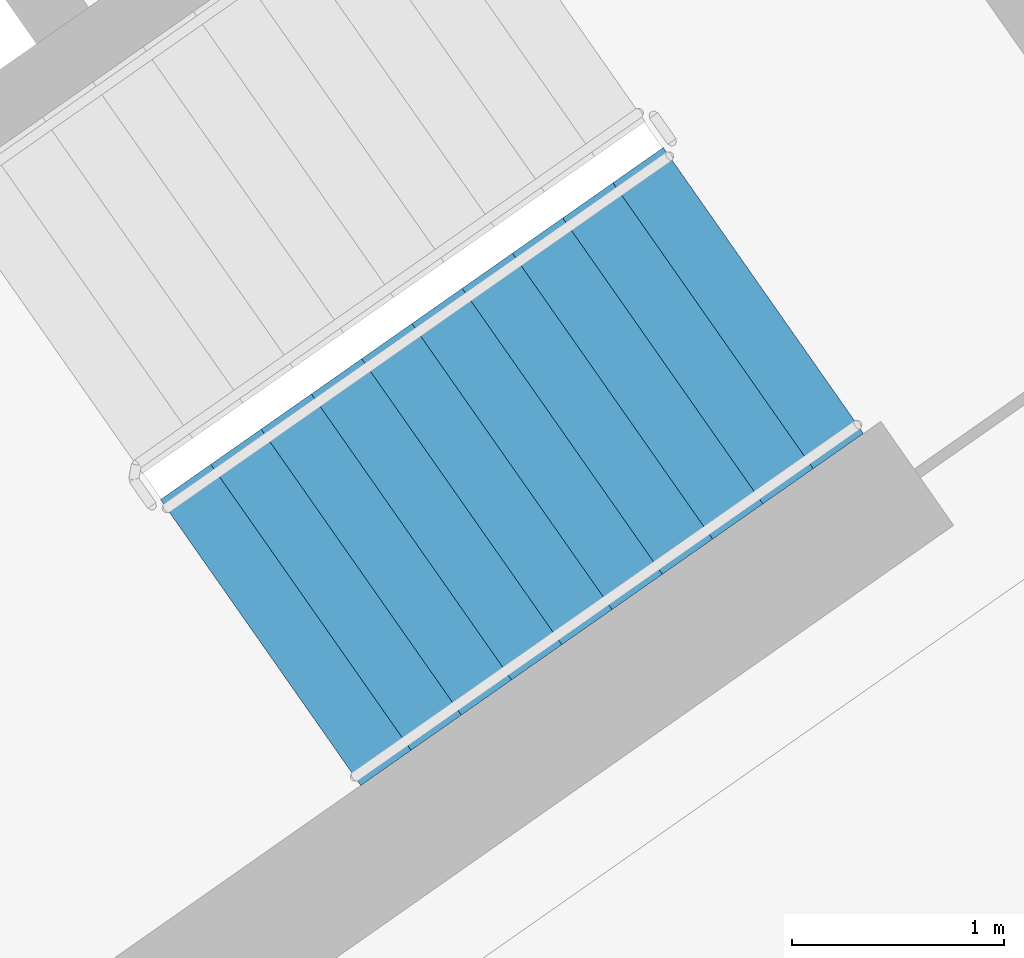
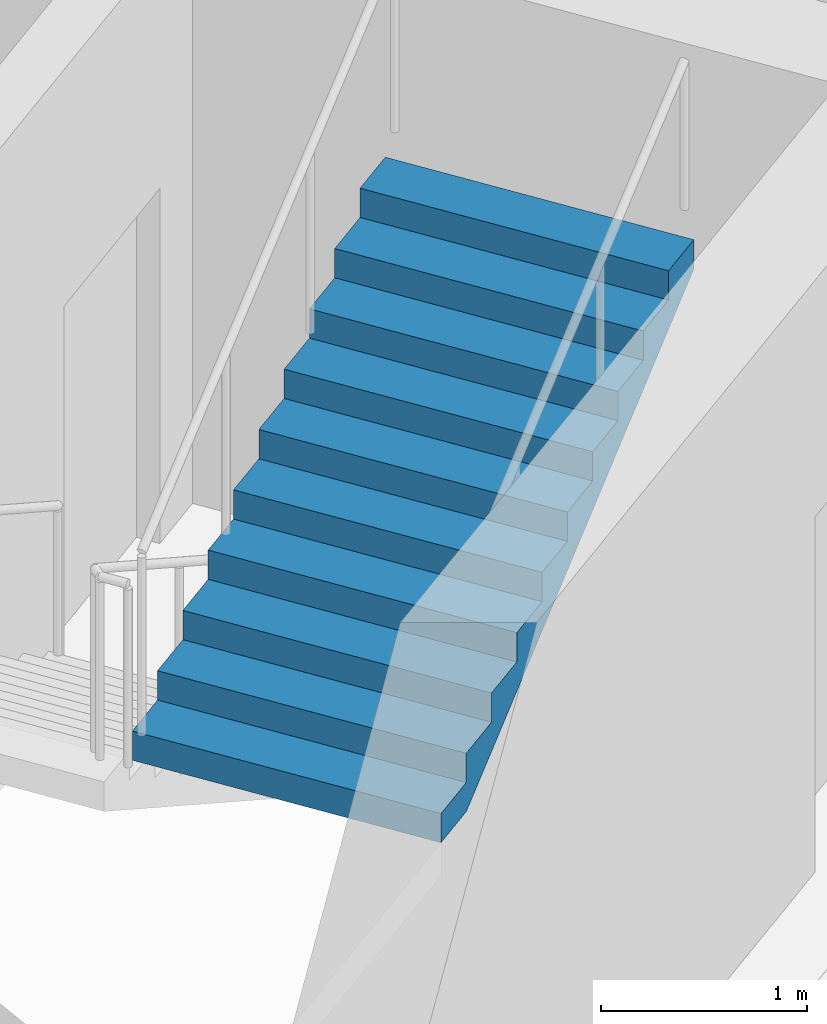
# One storey, part 14 of 28: 1 stair flight, 1 element without a shape of its own.
"""IFC4 building model written with IfcOpenShell, lengths in metres."""

from ifc_helpers import new_model, si_unit, direction, frame, origin, place, context, subcontext, project, spatial, faceted_brep, material, type_object, element, aggregate, save


model = new_model("IFC4")

# Units and contexts
model_context = context("Model", 3, precision=1e-05, world=origin(), true_north=direction((0.0, 1.0)))
body_context = subcontext(model_context, "Body", "Model", "MODEL_VIEW")
ifc_project = project(units=[si_unit("LENGTHUNIT", "METRE"), si_unit("AREAUNIT", "SQUARE_METRE"), si_unit("VOLUMEUNIT", "CUBIC_METRE"), si_unit("PLANEANGLEUNIT", "RADIAN"), si_unit("MASSUNIT", "GRAM", prefix="KILO")], contexts=[model_context])

# Site, building, storey
site_placement = place(None, origin())
site = spatial("IfcSite", under=ifc_project, at=site_placement, CompositionType="ELEMENT")
building_placement = place(site_placement, origin())
building = spatial("IfcBuilding", under=site, at=building_placement, Name="Qamariyya Broadcast Tower", CompositionType="ELEMENT")
storey_placement = place(building_placement, frame((0.0, 0.0, 218.89990234375)))
storey = spatial("IfcBuildingStorey", under=building, at=storey_placement, Name="L52", CompositionType="ELEMENT", Elevation=218.89990234375)

# Stair, stair flight
ifc_material = material(Name="Concrete C50/60", Category="concrete")
stair_type = type_object("IfcStairType", Name="Exit stair 22 risers of 173 mm", PredefinedType="HALF_TURN_STAIR", material=ifc_material)
stair_placement = place(storey_placement, origin())
stair = element("IfcStair", 1, at=stair_placement, inside=storey, type_object=stair_type, Name="L52 Stair E1", PredefinedType="HALF_TURN_STAIR")
stair_flight_type = type_object("IfcStairFlightType", Name="Exit stair flight 11 risers of 173 mm", PredefinedType="STRAIGHT", material=ifc_material)
stair_flight_placement = place(storey_placement, frame((44.693359375, -58.64599609375, 1.900146484375), z_axis=(0.0, 0.0, 1.0), x_axis=(0.819152044289, 0.573576436351, 0.0)))
stair_flight = element("IfcStairFlight", 2, at=stair_flight_placement, type_object=stair_flight_type, Name="ST-E1 flight 2", NumberOfRisers=11, NumberOfTreads=10, PredefinedType="STRAIGHT", RiserHeight=0.172727273, TreadLength=0.29, context=body_context, shape_type="Brep", body=[
    faceted_brep([(0.0, 0.824951171875, 0.0), (0.0, 0.824951171875, 0.172607421875), (0.2900390625, 0.824951171875, 0.172607421875), (0.2900390625, 0.824951171875, 0.345458984375), (0.580078125, 0.824951171875, 0.345458984375), (0.580078125, 0.824951171875, 0.51806640625), (0.8701171875, 0.824951171875, 0.51806640625), (0.8701171875, 0.824951171875, 0.69091796875), (1.159912109375, 0.824951171875, 0.69091796875), (1.159912109375, 0.824951171875, 0.863525390625), (1.449951171875, 0.824951171875, 0.863525390625), (1.449951171875, 0.824951171875, 1.036376953125), (1.739990234375, 0.824951171875, 1.036376953125), (1.739990234375, 0.824951171875, 1.208984375), (2.030029296875, 0.824951171875, 1.208984375), (2.030029296875, 0.824951171875, 1.3818359375), (2.320068359375, 0.824951171875, 1.3818359375), (2.320068359375, 0.824951171875, 1.554443359375), (2.610107421875, 0.824951171875, 1.554443359375), (2.610107421875, 0.824951171875, 1.727294921875), (2.89990234375, 0.824951171875, 1.727294921875), (2.89990234375, 0.824951171875, 1.552734375), (0.29296875, 0.824951171875, 0.0), (0.29296875, -0.824951171875, 0.0), (2.89990234375, -0.824951171875, 1.552734375), (2.89990234375, -0.824951171875, 1.727294921875), (2.610107421875, -0.824951171875, 1.727294921875), (2.610107421875, -0.824951171875, 1.554443359375), (2.320068359375, -0.824951171875, 1.554443359375), (2.320068359375, -0.824951171875, 1.3818359375), (2.030029296875, -0.824951171875, 1.3818359375), (2.030029296875, -0.824951171875, 1.208984375), (1.739990234375, -0.824951171875, 1.208984375), (1.739990234375, -0.824951171875, 1.036376953125), (1.449951171875, -0.824951171875, 1.036376953125), (1.449951171875, -0.824951171875, 0.863525390625), (1.159912109375, -0.824951171875, 0.863525390625), (1.159912109375, -0.824951171875, 0.69091796875), (0.8701171875, -0.824951171875, 0.69091796875), (0.8701171875, -0.824951171875, 0.51806640625), (0.580078125, -0.824951171875, 0.51806640625), (0.580078125, -0.824951171875, 0.345458984375), (0.2900390625, -0.824951171875, 0.345458984375), (0.2900390625, -0.824951171875, 0.172607421875), (0.0, -0.824951171875, 0.172607421875), (0.0, -0.824951171875, 0.0), (0.0, 0.10009765625, 0.0), (0.0, 0.086669921875, 0.0), (0.0, 0.0732421875, 0.0), (0.0, 0.06005859375, 0.0), (0.0, 0.046630859375, 0.0), (0.0, 0.033447265625, 0.0), (0.0, 0.02001953125, 0.0), (0.0, 0.006591796875, 0.0), (0.0, -0.006591796875, 0.0), (0.0, -0.02001953125, 0.0), (0.0, -0.033447265625, 0.0), (0.0, -0.046630859375, 0.0), (0.0, -0.06005859375, 0.0), (0.0, -0.0732421875, 0.0), (0.0, -0.086669921875, 0.0), (0.0, -0.10009765625, 0.0), (0.0, -0.10009765625, 0.172607421875), (0.0, -0.086669921875, 0.172607421875), (0.0, -0.0732421875, 0.172607421875), (0.0, -0.06005859375, 0.172607421875), (0.0, -0.046630859375, 0.172607421875), (0.0, -0.033447265625, 0.172607421875), (0.0, -0.02001953125, 0.172607421875), (0.0, -0.006591796875, 0.172607421875), (0.0, 0.006591796875, 0.172607421875), (0.0, 0.02001953125, 0.172607421875), (0.0, 0.033447265625, 0.172607421875), (0.0, 0.046630859375, 0.172607421875), (0.0, 0.06005859375, 0.172607421875), (0.0, 0.0732421875, 0.172607421875), (0.0, 0.086669921875, 0.172607421875), (0.0, 0.10009765625, 0.172607421875), (0.2900390625, -0.10009765625, 0.172607421875), (0.2900390625, -0.086669921875, 0.172607421875), (0.2900390625, -0.0732421875, 0.172607421875), (0.2900390625, -0.06005859375, 0.172607421875), (0.2900390625, -0.046630859375, 0.172607421875), (0.2900390625, -0.033447265625, 0.172607421875), (0.2900390625, -0.02001953125, 0.172607421875), (0.2900390625, -0.006591796875, 0.172607421875), (0.2900390625, 0.006591796875, 0.172607421875), (0.2900390625, 0.02001953125, 0.172607421875), (0.2900390625, 0.033447265625, 0.172607421875), (0.2900390625, 0.046630859375, 0.172607421875), (0.2900390625, 0.06005859375, 0.172607421875), (0.2900390625, 0.0732421875, 0.172607421875), (0.2900390625, 0.086669921875, 0.172607421875), (0.2900390625, 0.10009765625, 0.172607421875), (0.2900390625, -0.10009765625, 0.345458984375), (0.2900390625, -0.086669921875, 0.345458984375), (0.2900390625, -0.0732421875, 0.345458984375), (0.2900390625, -0.06005859375, 0.345458984375), (0.2900390625, -0.046630859375, 0.345458984375), (0.2900390625, -0.033447265625, 0.345458984375), (0.2900390625, -0.02001953125, 0.345458984375), (0.2900390625, -0.006591796875, 0.345458984375), (0.2900390625, 0.006591796875, 0.345458984375), (0.2900390625, 0.02001953125, 0.345458984375), (0.2900390625, 0.033447265625, 0.345458984375), (0.2900390625, 0.046630859375, 0.345458984375), (0.2900390625, 0.06005859375, 0.345458984375), (0.2900390625, 0.0732421875, 0.345458984375), (0.2900390625, 0.086669921875, 0.345458984375), (0.2900390625, 0.10009765625, 0.345458984375), (0.580078125, -0.10009765625, 0.345458984375), (0.580078125, -0.086669921875, 0.345458984375), (0.580078125, -0.0732421875, 0.345458984375), (0.580078125, -0.06005859375, 0.345458984375), (0.580078125, -0.046630859375, 0.345458984375), (0.580078125, -0.033447265625, 0.345458984375), (0.580078125, -0.02001953125, 0.345458984375), (0.580078125, -0.006591796875, 0.345458984375), (0.580078125, 0.006591796875, 0.345458984375), (0.580078125, 0.02001953125, 0.345458984375), (0.580078125, 0.033447265625, 0.345458984375), (0.580078125, 0.046630859375, 0.345458984375), (0.580078125, 0.06005859375, 0.345458984375), (0.580078125, 0.0732421875, 0.345458984375), (0.580078125, 0.086669921875, 0.345458984375), (0.580078125, 0.10009765625, 0.345458984375), (0.580078125, -0.10009765625, 0.51806640625), (0.580078125, -0.086669921875, 0.51806640625), (0.580078125, -0.0732421875, 0.51806640625), (0.580078125, -0.06005859375, 0.51806640625), (0.580078125, -0.046630859375, 0.51806640625), (0.580078125, -0.033447265625, 0.51806640625), (0.580078125, -0.02001953125, 0.51806640625), (0.580078125, -0.006591796875, 0.51806640625), (0.580078125, 0.006591796875, 0.51806640625), (0.580078125, 0.02001953125, 0.51806640625), (0.580078125, 0.033447265625, 0.51806640625), (0.580078125, 0.046630859375, 0.51806640625), (0.580078125, 0.06005859375, 0.51806640625), (0.580078125, 0.0732421875, 0.51806640625), (0.580078125, 0.086669921875, 0.51806640625), (0.580078125, 0.10009765625, 0.51806640625), (0.8701171875, -0.10009765625, 0.51806640625), (0.8701171875, -0.086669921875, 0.51806640625), (0.8701171875, -0.0732421875, 0.51806640625), (0.8701171875, -0.06005859375, 0.51806640625), (0.8701171875, -0.046630859375, 0.51806640625), (0.8701171875, -0.033447265625, 0.51806640625), (0.8701171875, -0.02001953125, 0.51806640625), (0.8701171875, -0.006591796875, 0.51806640625), (0.8701171875, 0.006591796875, 0.51806640625), (0.8701171875, 0.02001953125, 0.51806640625), (0.8701171875, 0.033447265625, 0.51806640625), (0.8701171875, 0.046630859375, 0.51806640625), (0.8701171875, 0.06005859375, 0.51806640625), (0.8701171875, 0.0732421875, 0.51806640625), (0.8701171875, 0.086669921875, 0.51806640625), (0.8701171875, 0.10009765625, 0.51806640625), (0.8701171875, -0.10009765625, 0.69091796875), (0.8701171875, -0.086669921875, 0.69091796875), (0.8701171875, -0.0732421875, 0.69091796875), (0.8701171875, -0.06005859375, 0.69091796875), (0.8701171875, -0.046630859375, 0.69091796875), (0.8701171875, -0.033447265625, 0.69091796875), (0.8701171875, -0.02001953125, 0.69091796875), (0.8701171875, -0.006591796875, 0.69091796875), (0.8701171875, 0.006591796875, 0.69091796875), (0.8701171875, 0.02001953125, 0.69091796875), (0.8701171875, 0.033447265625, 0.69091796875), (0.8701171875, 0.046630859375, 0.69091796875), (0.8701171875, 0.06005859375, 0.69091796875), (0.8701171875, 0.0732421875, 0.69091796875), (0.8701171875, 0.086669921875, 0.69091796875), (0.8701171875, 0.10009765625, 0.69091796875), (1.159912109375, -0.10009765625, 0.69091796875), (1.159912109375, -0.086669921875, 0.69091796875), (1.159912109375, -0.0732421875, 0.69091796875), (1.159912109375, -0.06005859375, 0.69091796875), (1.159912109375, -0.046630859375, 0.69091796875), (1.159912109375, -0.033447265625, 0.69091796875), (1.159912109375, -0.02001953125, 0.69091796875), (1.159912109375, -0.006591796875, 0.69091796875), (1.159912109375, 0.006591796875, 0.69091796875), (1.159912109375, 0.02001953125, 0.69091796875), (1.159912109375, 0.033447265625, 0.69091796875), (1.159912109375, 0.046630859375, 0.69091796875), (1.159912109375, 0.06005859375, 0.69091796875), (1.159912109375, 0.0732421875, 0.69091796875), (1.159912109375, 0.086669921875, 0.69091796875), (1.159912109375, 0.10009765625, 0.69091796875), (1.159912109375, -0.10009765625, 0.863525390625), (1.159912109375, -0.086669921875, 0.863525390625), (1.159912109375, -0.0732421875, 0.863525390625), (1.159912109375, -0.06005859375, 0.863525390625), (1.159912109375, -0.046630859375, 0.863525390625), (1.159912109375, -0.033447265625, 0.863525390625), (1.159912109375, -0.02001953125, 0.863525390625), (1.159912109375, -0.006591796875, 0.863525390625), (1.159912109375, 0.006591796875, 0.863525390625), (1.159912109375, 0.02001953125, 0.863525390625), (1.159912109375, 0.033447265625, 0.863525390625), (1.159912109375, 0.046630859375, 0.863525390625), (1.159912109375, 0.06005859375, 0.863525390625), (1.159912109375, 0.0732421875, 0.863525390625), (1.159912109375, 0.086669921875, 0.863525390625), (1.159912109375, 0.10009765625, 0.863525390625), (1.449951171875, -0.10009765625, 0.863525390625), (1.449951171875, -0.086669921875, 0.863525390625), (1.449951171875, -0.0732421875, 0.863525390625), (1.449951171875, -0.06005859375, 0.863525390625), (1.449951171875, -0.046630859375, 0.863525390625), (1.449951171875, -0.033447265625, 0.863525390625), (1.449951171875, -0.02001953125, 0.863525390625), (1.449951171875, -0.006591796875, 0.863525390625), (1.449951171875, 0.006591796875, 0.863525390625), (1.449951171875, 0.02001953125, 0.863525390625), (1.449951171875, 0.033447265625, 0.863525390625), (1.449951171875, 0.046630859375, 0.863525390625), (1.449951171875, 0.06005859375, 0.863525390625), (1.449951171875, 0.0732421875, 0.863525390625), (1.449951171875, 0.086669921875, 0.863525390625), (1.449951171875, 0.10009765625, 0.863525390625), (1.449951171875, -0.10009765625, 1.036376953125), (1.449951171875, -0.086669921875, 1.036376953125), (1.449951171875, -0.0732421875, 1.036376953125), (1.449951171875, -0.06005859375, 1.036376953125), (1.449951171875, -0.046630859375, 1.036376953125), (1.449951171875, -0.033447265625, 1.036376953125), (1.449951171875, -0.02001953125, 1.036376953125), (1.449951171875, -0.006591796875, 1.036376953125), (1.449951171875, 0.006591796875, 1.036376953125), (1.449951171875, 0.02001953125, 1.036376953125), (1.449951171875, 0.033447265625, 1.036376953125), (1.449951171875, 0.046630859375, 1.036376953125), (1.449951171875, 0.06005859375, 1.036376953125), (1.449951171875, 0.0732421875, 1.036376953125), (1.449951171875, 0.086669921875, 1.036376953125), (1.449951171875, 0.10009765625, 1.036376953125), (1.739990234375, -0.10009765625, 1.036376953125), (1.739990234375, -0.086669921875, 1.036376953125), (1.739990234375, -0.0732421875, 1.036376953125), (1.739990234375, -0.06005859375, 1.036376953125), (1.739990234375, -0.046630859375, 1.036376953125), (1.739990234375, -0.033447265625, 1.036376953125), (1.739990234375, -0.02001953125, 1.036376953125), (1.739990234375, -0.006591796875, 1.036376953125), (1.739990234375, 0.006591796875, 1.036376953125), (1.739990234375, 0.02001953125, 1.036376953125), (1.739990234375, 0.033447265625, 1.036376953125), (1.739990234375, 0.046630859375, 1.036376953125), (1.739990234375, 0.06005859375, 1.036376953125), (1.739990234375, 0.0732421875, 1.036376953125), (1.739990234375, 0.086669921875, 1.036376953125), (1.739990234375, 0.10009765625, 1.036376953125), (1.739990234375, -0.10009765625, 1.208984375), (1.739990234375, -0.086669921875, 1.208984375), (1.739990234375, -0.0732421875, 1.208984375), (1.739990234375, -0.06005859375, 1.208984375), (1.739990234375, -0.046630859375, 1.208984375), (1.739990234375, -0.033447265625, 1.208984375), (1.739990234375, -0.02001953125, 1.208984375), (1.739990234375, -0.006591796875, 1.208984375), (1.739990234375, 0.006591796875, 1.208984375), (1.739990234375, 0.02001953125, 1.208984375), (1.739990234375, 0.033447265625, 1.208984375), (1.739990234375, 0.046630859375, 1.208984375), (1.739990234375, 0.06005859375, 1.208984375), (1.739990234375, 0.0732421875, 1.208984375), (1.739990234375, 0.086669921875, 1.208984375), (1.739990234375, 0.10009765625, 1.208984375), (2.030029296875, -0.10009765625, 1.208984375), (2.030029296875, -0.086669921875, 1.208984375), (2.030029296875, -0.0732421875, 1.208984375), (2.030029296875, -0.06005859375, 1.208984375), (2.030029296875, -0.046630859375, 1.208984375), (2.030029296875, -0.033447265625, 1.208984375), (2.030029296875, -0.02001953125, 1.208984375), (2.030029296875, -0.006591796875, 1.208984375), (2.030029296875, 0.006591796875, 1.208984375), (2.030029296875, 0.02001953125, 1.208984375), (2.030029296875, 0.033447265625, 1.208984375), (2.030029296875, 0.046630859375, 1.208984375), (2.030029296875, 0.06005859375, 1.208984375), (2.030029296875, 0.0732421875, 1.208984375), (2.030029296875, 0.086669921875, 1.208984375), (2.030029296875, 0.10009765625, 1.208984375), (2.030029296875, -0.10009765625, 1.3818359375), (2.030029296875, -0.086669921875, 1.3818359375), (2.030029296875, -0.0732421875, 1.3818359375), (2.030029296875, -0.06005859375, 1.3818359375), (2.030029296875, -0.046630859375, 1.3818359375), (2.030029296875, -0.033447265625, 1.3818359375), (2.030029296875, -0.02001953125, 1.3818359375), (2.030029296875, -0.006591796875, 1.3818359375), (2.030029296875, 0.006591796875, 1.3818359375), (2.030029296875, 0.02001953125, 1.3818359375), (2.030029296875, 0.033447265625, 1.3818359375), (2.030029296875, 0.046630859375, 1.3818359375), (2.030029296875, 0.06005859375, 1.3818359375), (2.030029296875, 0.0732421875, 1.3818359375), (2.030029296875, 0.086669921875, 1.3818359375), (2.030029296875, 0.10009765625, 1.3818359375), (2.320068359375, -0.10009765625, 1.3818359375), (2.320068359375, -0.086669921875, 1.3818359375), (2.320068359375, -0.0732421875, 1.3818359375), (2.320068359375, -0.06005859375, 1.3818359375), (2.320068359375, -0.046630859375, 1.3818359375), (2.320068359375, -0.033447265625, 1.3818359375), (2.320068359375, -0.02001953125, 1.3818359375), (2.320068359375, -0.006591796875, 1.3818359375), (2.320068359375, 0.006591796875, 1.3818359375), (2.320068359375, 0.02001953125, 1.3818359375), (2.320068359375, 0.033447265625, 1.3818359375), (2.320068359375, 0.046630859375, 1.3818359375), (2.320068359375, 0.06005859375, 1.3818359375), (2.320068359375, 0.0732421875, 1.3818359375), (2.320068359375, 0.086669921875, 1.3818359375), (2.320068359375, 0.10009765625, 1.3818359375), (2.320068359375, -0.10009765625, 1.554443359375), (2.320068359375, -0.086669921875, 1.554443359375), (2.320068359375, -0.0732421875, 1.554443359375), (2.320068359375, -0.06005859375, 1.554443359375), (2.320068359375, -0.046630859375, 1.554443359375), (2.320068359375, -0.033447265625, 1.554443359375), (2.320068359375, -0.02001953125, 1.554443359375), (2.320068359375, -0.006591796875, 1.554443359375), (2.320068359375, 0.006591796875, 1.554443359375), (2.320068359375, 0.02001953125, 1.554443359375), (2.320068359375, 0.033447265625, 1.554443359375), (2.320068359375, 0.046630859375, 1.554443359375), (2.320068359375, 0.06005859375, 1.554443359375), (2.320068359375, 0.0732421875, 1.554443359375), (2.320068359375, 0.086669921875, 1.554443359375), (2.320068359375, 0.10009765625, 1.554443359375), (2.610107421875, -0.10009765625, 1.554443359375), (2.610107421875, -0.086669921875, 1.554443359375), (2.610107421875, -0.0732421875, 1.554443359375), (2.610107421875, -0.06005859375, 1.554443359375), (2.610107421875, -0.046630859375, 1.554443359375), (2.610107421875, -0.033447265625, 1.554443359375), (2.610107421875, -0.02001953125, 1.554443359375), (2.610107421875, -0.006591796875, 1.554443359375), (2.610107421875, 0.006591796875, 1.554443359375), (2.610107421875, 0.02001953125, 1.554443359375), (2.610107421875, 0.033447265625, 1.554443359375), (2.610107421875, 0.046630859375, 1.554443359375), (2.610107421875, 0.06005859375, 1.554443359375), (2.610107421875, 0.0732421875, 1.554443359375), (2.610107421875, 0.086669921875, 1.554443359375), (2.610107421875, 0.10009765625, 1.554443359375), (2.610107421875, -0.10009765625, 1.727294921875), (2.610107421875, -0.086669921875, 1.727294921875), (2.610107421875, -0.0732421875, 1.727294921875), (2.610107421875, -0.06005859375, 1.727294921875), (2.610107421875, -0.046630859375, 1.727294921875), (2.610107421875, -0.033447265625, 1.727294921875), (2.610107421875, -0.02001953125, 1.727294921875), (2.610107421875, -0.006591796875, 1.727294921875), (2.610107421875, 0.006591796875, 1.727294921875), (2.610107421875, 0.02001953125, 1.727294921875), (2.610107421875, 0.033447265625, 1.727294921875), (2.610107421875, 0.046630859375, 1.727294921875), (2.610107421875, 0.06005859375, 1.727294921875), (2.610107421875, 0.0732421875, 1.727294921875), (2.610107421875, 0.086669921875, 1.727294921875), (2.610107421875, 0.10009765625, 1.727294921875), (2.89990234375, -0.10009765625, 1.727294921875), (2.89990234375, -0.086669921875, 1.727294921875), (2.89990234375, -0.0732421875, 1.727294921875), (2.89990234375, -0.06005859375, 1.727294921875), (2.89990234375, -0.046630859375, 1.727294921875), (2.89990234375, -0.033447265625, 1.727294921875), (2.89990234375, -0.02001953125, 1.727294921875), (2.89990234375, -0.006591796875, 1.727294921875), (2.89990234375, 0.006591796875, 1.727294921875), (2.89990234375, 0.02001953125, 1.727294921875), (2.89990234375, 0.033447265625, 1.727294921875), (2.89990234375, 0.046630859375, 1.727294921875), (2.89990234375, 0.06005859375, 1.727294921875), (2.89990234375, 0.0732421875, 1.727294921875), (2.89990234375, 0.086669921875, 1.727294921875), (2.89990234375, 0.10009765625, 1.727294921875), (2.89990234375, -0.10009765625, 1.552734375), (2.89990234375, -0.086669921875, 1.552734375), (2.89990234375, -0.0732421875, 1.552734375), (2.89990234375, -0.06005859375, 1.552734375), (2.89990234375, -0.046630859375, 1.552734375), (2.89990234375, -0.033447265625, 1.552734375), (2.89990234375, -0.02001953125, 1.552734375), (2.89990234375, -0.006591796875, 1.552734375), (2.89990234375, 0.006591796875, 1.552734375), (2.89990234375, 0.02001953125, 1.552734375), (2.89990234375, 0.033447265625, 1.552734375), (2.89990234375, 0.046630859375, 1.552734375), (2.89990234375, 0.06005859375, 1.552734375), (2.89990234375, 0.0732421875, 1.552734375), (2.89990234375, 0.086669921875, 1.552734375), (2.89990234375, 0.10009765625, 1.552734375), (0.29296875, -0.10009765625, 0.0), (0.29296875, -0.086669921875, 0.0), (0.29296875, -0.0732421875, 0.0), (0.29296875, -0.06005859375, 0.0), (0.29296875, -0.046630859375, 0.0), (0.29296875, -0.033447265625, 0.0), (0.29296875, -0.02001953125, 0.0), (0.29296875, -0.006591796875, 0.0), (0.29296875, 0.006591796875, 0.0), (0.29296875, 0.02001953125, 0.0), (0.29296875, 0.033447265625, 0.0), (0.29296875, 0.046630859375, 0.0), (0.29296875, 0.06005859375, 0.0), (0.29296875, 0.0732421875, 0.0), (0.29296875, 0.086669921875, 0.0), (0.29296875, 0.10009765625, 0.0)], [[[0, 1, 2, 3, 4, 5, 6, 7, 8, 9, 10, 11, 12, 13, 14, 15, 16, 17, 18, 19, 20, 21, 22]], [[23, 24, 25, 26, 27, 28, 29, 30, 31, 32, 33, 34, 35, 36, 37, 38, 39, 40, 41, 42, 43, 44, 45]], [[0, 46, 47, 48, 49, 50, 51, 52, 53, 54, 55, 56, 57, 58, 59, 60, 61, 45, 44, 62, 63, 64, 65, 66, 67, 68, 69, 70, 71, 72, 73, 74, 75, 76, 77, 1]], [[1, 77, 76, 75, 74, 73, 72, 71, 70, 69, 68, 67, 66, 65, 64, 63, 62, 44, 43, 78, 79, 80, 81, 82, 83, 84, 85, 86, 87, 88, 89, 90, 91, 92, 93, 2]], [[2, 93, 92, 91, 90, 89, 88, 87, 86, 85, 84, 83, 82, 81, 80, 79, 78, 43, 42, 94, 95, 96, 97, 98, 99, 100, 101, 102, 103, 104, 105, 106, 107, 108, 109, 3]], [[3, 109, 108, 107, 106, 105, 104, 103, 102, 101, 100, 99, 98, 97, 96, 95, 94, 42, 41, 110, 111, 112, 113, 114, 115, 116, 117, 118, 119, 120, 121, 122, 123, 124, 125, 4]], [[4, 125, 124, 123, 122, 121, 120, 119, 118, 117, 116, 115, 114, 113, 112, 111, 110, 41, 40, 126, 127, 128, 129, 130, 131, 132, 133, 134, 135, 136, 137, 138, 139, 140, 141, 5]], [[5, 141, 140, 139, 138, 137, 136, 135, 134, 133, 132, 131, 130, 129, 128, 127, 126, 40, 39, 142, 143, 144, 145, 146, 147, 148, 149, 150, 151, 152, 153, 154, 155, 156, 157, 6]], [[6, 157, 156, 155, 154, 153, 152, 151, 150, 149, 148, 147, 146, 145, 144, 143, 142, 39, 38, 158, 159, 160, 161, 162, 163, 164, 165, 166, 167, 168, 169, 170, 171, 172, 173, 7]], [[7, 173, 172, 171, 170, 169, 168, 167, 166, 165, 164, 163, 162, 161, 160, 159, 158, 38, 37, 174, 175, 176, 177, 178, 179, 180, 181, 182, 183, 184, 185, 186, 187, 188, 189, 8]], [[8, 189, 188, 187, 186, 185, 184, 183, 182, 181, 180, 179, 178, 177, 176, 175, 174, 37, 36, 190, 191, 192, 193, 194, 195, 196, 197, 198, 199, 200, 201, 202, 203, 204, 205, 9]], [[9, 205, 204, 203, 202, 201, 200, 199, 198, 197, 196, 195, 194, 193, 192, 191, 190, 36, 35, 206, 207, 208, 209, 210, 211, 212, 213, 214, 215, 216, 217, 218, 219, 220, 221, 10]], [[10, 221, 220, 219, 218, 217, 216, 215, 214, 213, 212, 211, 210, 209, 208, 207, 206, 35, 34, 222, 223, 224, 225, 226, 227, 228, 229, 230, 231, 232, 233, 234, 235, 236, 237, 11]], [[11, 237, 236, 235, 234, 233, 232, 231, 230, 229, 228, 227, 226, 225, 224, 223, 222, 34, 33, 238, 239, 240, 241, 242, 243, 244, 245, 246, 247, 248, 249, 250, 251, 252, 253, 12]], [[12, 253, 252, 251, 250, 249, 248, 247, 246, 245, 244, 243, 242, 241, 240, 239, 238, 33, 32, 254, 255, 256, 257, 258, 259, 260, 261, 262, 263, 264, 265, 266, 267, 268, 269, 13]], [[13, 269, 268, 267, 266, 265, 264, 263, 262, 261, 260, 259, 258, 257, 256, 255, 254, 32, 31, 270, 271, 272, 273, 274, 275, 276, 277, 278, 279, 280, 281, 282, 283, 284, 285, 14]], [[14, 285, 284, 283, 282, 281, 280, 279, 278, 277, 276, 275, 274, 273, 272, 271, 270, 31, 30, 286, 287, 288, 289, 290, 291, 292, 293, 294, 295, 296, 297, 298, 299, 300, 301, 15]], [[15, 301, 300, 299, 298, 297, 296, 295, 294, 293, 292, 291, 290, 289, 288, 287, 286, 30, 29, 302, 303, 304, 305, 306, 307, 308, 309, 310, 311, 312, 313, 314, 315, 316, 317, 16]], [[16, 317, 316, 315, 314, 313, 312, 311, 310, 309, 308, 307, 306, 305, 304, 303, 302, 29, 28, 318, 319, 320, 321, 322, 323, 324, 325, 326, 327, 328, 329, 330, 331, 332, 333, 17]], [[17, 333, 332, 331, 330, 329, 328, 327, 326, 325, 324, 323, 322, 321, 320, 319, 318, 28, 27, 334, 335, 336, 337, 338, 339, 340, 341, 342, 343, 344, 345, 346, 347, 348, 349, 18]], [[18, 349, 348, 347, 346, 345, 344, 343, 342, 341, 340, 339, 338, 337, 336, 335, 334, 27, 26, 350, 351, 352, 353, 354, 355, 356, 357, 358, 359, 360, 361, 362, 363, 364, 365, 19]], [[19, 365, 364, 363, 362, 361, 360, 359, 358, 357, 356, 355, 354, 353, 352, 351, 350, 26, 25, 366, 367, 368, 369, 370, 371, 372, 373, 374, 375, 376, 377, 378, 379, 380, 381, 20]], [[20, 381, 380, 379, 378, 377, 376, 375, 374, 373, 372, 371, 370, 369, 368, 367, 366, 25, 24, 382, 383, 384, 385, 386, 387, 388, 389, 390, 391, 392, 393, 394, 395, 396, 397, 21]], [[21, 397, 396, 395, 394, 393, 392, 391, 390, 389, 388, 387, 386, 385, 384, 383, 382, 24, 23, 398, 399, 400, 401, 402, 403, 404, 405, 406, 407, 408, 409, 410, 411, 412, 413, 22]], [[22, 413, 412, 411, 410, 409, 408, 407, 406, 405, 404, 403, 402, 401, 400, 399, 398, 23, 45, 61, 60, 59, 58, 57, 56, 55, 54, 53, 52, 51, 50, 49, 48, 47, 46, 0]]]),
])
aggregate(stair, [stair_flight])

save(model, "model.ifc")
